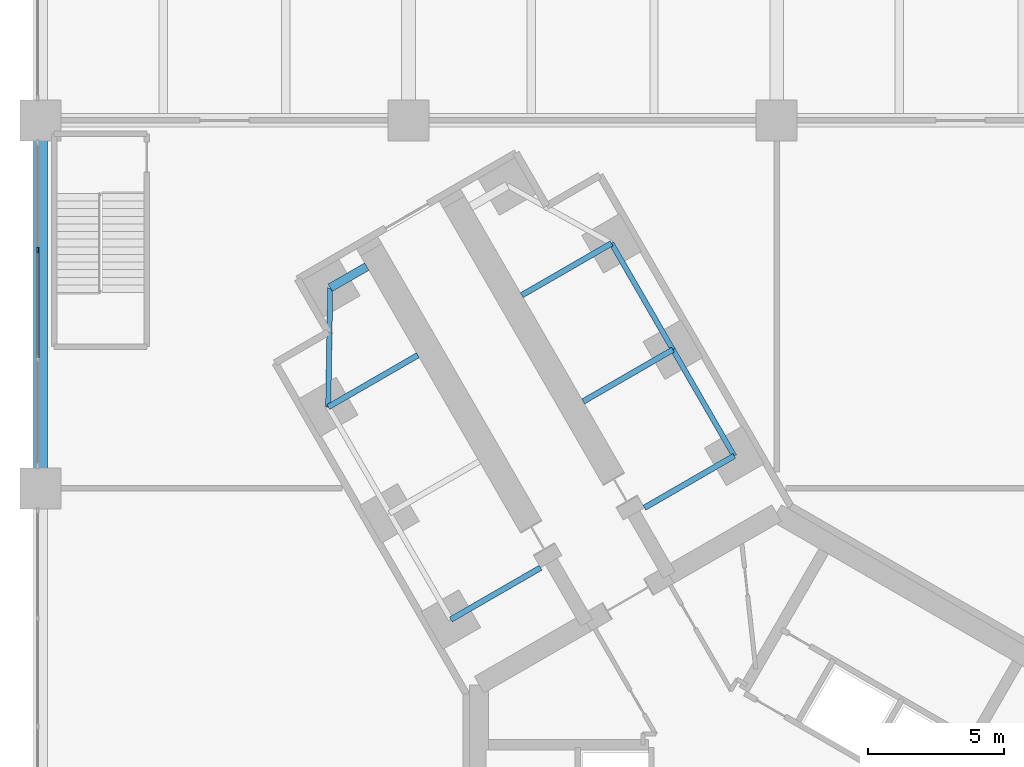
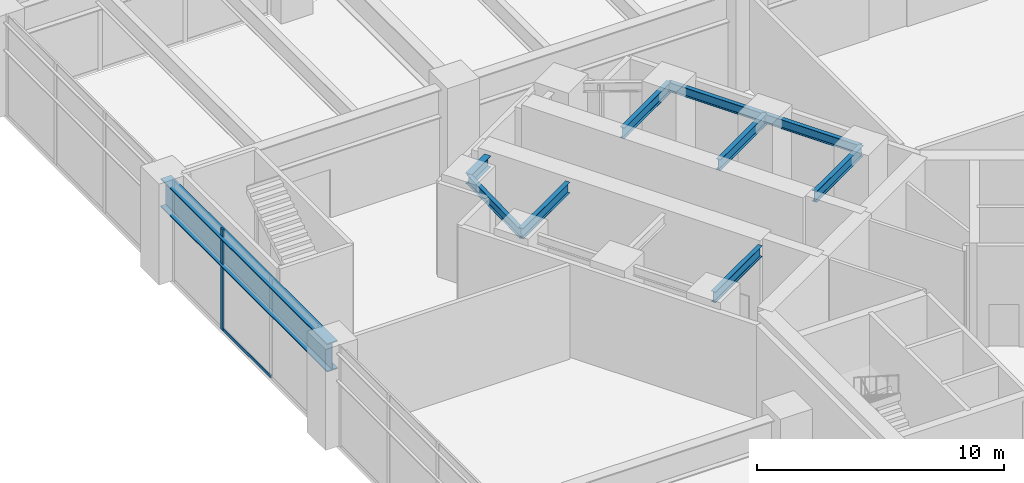
# One storey, part 7 of 31: 10 beams, 2 members, 1 element without a shape of its own.
"""IFC4 building model written with IfcOpenShell, lengths in metres."""

from ifc_helpers import new_model, si_unit, direction, frame, origin, origin_2d, place, context, subcontext, project, spatial, rectangle, i_section, extrude, material, material_profile, profile_set, type_object, element, aggregate, save


model = new_model("IFC4")

# Units and contexts
model_context = context("Model", 3, precision=1e-05, world=origin(), true_north=direction((0.0, 1.0)))
body_context = subcontext(model_context, "Body", "Model", "MODEL_VIEW")
ifc_project = project(units=[si_unit("LENGTHUNIT", "METRE"), si_unit("AREAUNIT", "SQUARE_METRE"), si_unit("VOLUMEUNIT", "CUBIC_METRE"), si_unit("PLANEANGLEUNIT", "RADIAN"), si_unit("MASSUNIT", "GRAM", prefix="KILO")], contexts=[model_context])

# Site, building, storey
site_placement = place(None, origin())
site = spatial("IfcSite", under=ifc_project, at=site_placement, CompositionType="ELEMENT")
building_placement = place(site_placement, origin())
building = spatial("IfcBuilding", under=site, at=building_placement, Name="Upepo Twin Towers", CompositionType="ELEMENT")
storey_placement = place(building_placement, frame((0.0, 0.0, 15.5)))
storey = spatial("IfcBuildingStorey", under=building, at=storey_placement, Name="L03", CompositionType="ELEMENT", Elevation=15.5)

# Beams
ifc_material_1 = material(Name="Steel S355", Category="steel")
ifc_material_profile_1 = material_profile(ifc_material_1, i_section(OverallWidth=0.5, OverallDepth=1.39990234375, WebThickness=0.02490234375, FlangeThickness=0.050048828125, FilletRadius=0.008056640625, at=origin_2d()), Name="PG 1400x500x25x50")
ifc_profile_set_1 = profile_set([ifc_material_profile_1], Name="Steel S355")
beam_type_1 = type_object("IfcBeamType", Name="Beam PG 1400x500x25x50", PredefinedType="BEAM", material=ifc_profile_set_1)
beam_1_placement = place(storey_placement, frame((-27.0, 13.5, 3.949951171875), z_axis=(0.0, 1.0, 0.0), x_axis=(-1.0, 0.0, 0.0)))
element("IfcBeam", 1, at=beam_1_placement, inside=storey, type_object=beam_type_1, Name="Podium girder 1/E-F", PredefinedType="BEAM", context=body_context, shape_type="SweptSolid", body=[
    extrude(i_section(OverallWidth=0.5, OverallDepth=1.39990234375, WebThickness=0.02490234375, FlangeThickness=0.050048828125, FilletRadius=0.008056640625, at=origin_2d()), origin(), (0.0, 0.0, 1.0), 13.5),
])
ifc_material_2 = material(Name="Steel S355", Category="steel")
ifc_material_profile_2 = material_profile(ifc_material_2, i_section(OverallWidth=0.1904296875, OverallDepth=0.45703125, WebThickness=0.009033203125, FlangeThickness=0.014404296875, FilletRadius=0.01025390625, at=origin_2d()), Name="UB 457x191x74")
ifc_profile_set_2 = profile_set([ifc_material_profile_2], Name="Steel S355")
beam_type_2 = type_object("IfcBeamType", Name="Beam UB 457x191x74", PredefinedType="BEAM", material=ifc_profile_set_2)
beam_2_placement = place(storey_placement, frame((-16.446044921875, 16.485595703125, 4.571533203125), z_axis=(0.016803880528, 0.999858804832, 0.0), x_axis=(-0.999858804832, 0.016803880528, 0.0)))
element("IfcBeam", 2, at=beam_2_placement, inside=storey, type_object=beam_type_2, Name="T1 nose edge beam BL", PredefinedType="BEAM", context=body_context, shape_type="SweptSolid", body=[
    extrude(i_section(OverallWidth=0.1904296875, OverallDepth=0.45703125, WebThickness=0.009033203125, FlangeThickness=0.014404296875, FilletRadius=0.01025390625, at=origin_2d()), origin(), (0.0, 0.0, 1.0), 4.373291015625),
])
beam_3_placement = place(storey_placement, frame((-1.553955078125, 14.69140625, 4.571533203125), z_axis=(-0.500013631625, 0.866017533419, 0.0), x_axis=(-0.866017533419, -0.500013631625, 0.0)))
element("IfcBeam", 3, at=beam_3_placement, inside=storey, type_object=beam_type_2, Name="T1 edge beam BR 13.5-18.0", PredefinedType="BEAM", context=body_context, shape_type="SweptSolid", body=[
    extrude(i_section(OverallWidth=0.1904296875, OverallDepth=0.45703125, WebThickness=0.009033203125, FlangeThickness=0.014404296875, FilletRadius=0.01025390625, at=origin_2d()), origin(), (0.0, 0.0, 1.0), 4.499755859375),
])
beam_4_placement = place(storey_placement, frame((-3.803955078125, 18.58837890625, 4.571533203125), z_axis=(-0.499990139034, 0.866031096941, 0.0), x_axis=(-0.866031096941, -0.499990139034, 0.0)))
element("IfcBeam", 4, at=beam_4_placement, inside=storey, type_object=beam_type_2, Name="T1 edge beam BR 18.0-22.5", PredefinedType="BEAM", context=body_context, shape_type="SweptSolid", body=[
    extrude(i_section(OverallWidth=0.1904296875, OverallDepth=0.45703125, WebThickness=0.009033203125, FlangeThickness=0.014404296875, FilletRadius=0.01025390625, at=origin_2d()), origin(), (0.0, 0.0, 1.0), 4.5),
])
ifc_material_3 = material(Name="Steel S355", Category="steel")
ifc_material_profile_3 = material_profile(ifc_material_3, i_section(OverallWidth=0.209228515625, OverallDepth=0.533203125, WebThickness=0.010009765625, FlangeThickness=0.015625, FilletRadius=0.0126953125, at=origin_2d()), Name="UB 533x210x92")
ifc_profile_set_3 = profile_set([ifc_material_profile_3], Name="Steel S355")
beam_type_3 = type_object("IfcBeamType", Name="Beam UB 533x210x92", PredefinedType="BEAM", material=ifc_profile_set_3)
for number, where, z_axis, x_axis, name in (
    (5, (-11.946044921875, 8.69140625, 4.533447265625), (0.866028304915, 0.499994975061, 0.0), (-0.499994975061, 0.866028304915, 0.0), "T1 girder BL at 13.5"),
    (6, (-16.446044921875, 16.485595703125, 4.533447265625), (0.866028304915, 0.499994975061, 0.0), (-0.499994975061, 0.866028304915, 0.0), "T1 girder BL at 22.5"),
):
    element("IfcBeam", number, at=place(storey_placement, frame(where, z_axis=z_axis, x_axis=x_axis)), inside=storey, type_object=beam_type_3, Name=name, PredefinedType="BEAM", context=body_context, shape_type="SweptSolid", body=[
        extrude(i_section(OverallWidth=0.209228515625, OverallDepth=0.533203125, WebThickness=0.010009765625, FlangeThickness=0.015625, FilletRadius=0.0126953125, at=origin_2d()), origin(), (0.0, 0.0, 1.0), 3.7998046875),
    ])
beam_5_placement = place(storey_placement, frame((-1.553955078125, 14.69140625, 4.533447265625), z_axis=(-0.866000483506, -0.500043160704, 0.0), x_axis=(0.500043160704, -0.866000483506, 0.0)))
element("IfcBeam", 7, at=beam_5_placement, inside=storey, type_object=beam_type_3, Name="T1 girder BR at 13.5", PredefinedType="BEAM", context=body_context, shape_type="SweptSolid", body=[
    extrude(i_section(OverallWidth=0.209228515625, OverallDepth=0.533203125, WebThickness=0.010009765625, FlangeThickness=0.015625, FilletRadius=0.0126953125, at=origin_2d()), origin(), (0.0, 0.0, 1.0), 3.800048828125),
])
for number, where, z_axis, x_axis, name in (
    (8, (-3.803955078125, 18.58837890625, 4.533447265625), (-0.866028304915, -0.499994975061, 0.0), (0.499994975061, -0.866028304915, 0.0), "T1 girder BR at 18.0"),
    (9, (-6.053955078125, 22.485595703125, 4.533447265625), (-0.866028304915, -0.499994975061, 0.0), (0.499994975061, -0.866028304915, 0.0), "T1 girder BR at 22.5"),
):
    element("IfcBeam", number, at=place(storey_placement, frame(where, z_axis=z_axis, x_axis=x_axis)), inside=storey, type_object=beam_type_3, Name=name, PredefinedType="BEAM", context=body_context, shape_type="SweptSolid", body=[
        extrude(i_section(OverallWidth=0.209228515625, OverallDepth=0.533203125, WebThickness=0.010009765625, FlangeThickness=0.015625, FilletRadius=0.0126953125, at=origin_2d()), origin(), (0.0, 0.0, 1.0), 3.7998046875),
    ])
ifc_material_4 = material(Name="Steel S355", Category="steel")
ifc_material_profile_4 = material_profile(ifc_material_4, i_section(OverallWidth=0.31201171875, OverallDepth=0.54345703125, WebThickness=0.0126953125, FlangeThickness=0.020263671875, FilletRadius=0.0126953125, at=origin_2d()), Name="UB 533x312x150")
ifc_profile_set_4 = profile_set([ifc_material_profile_4], Name="Steel S355")
beam_type_4 = type_object("IfcBeamType", Name="Beam UB 533x312x150", PredefinedType="BEAM", material=ifc_profile_set_4)
beam_6_placement = place(storey_placement, frame((-16.37255859375, 20.858154296875, 4.5283203125), z_axis=(0.866043940782, 0.499967891604, 0.0), x_axis=(-0.499967891604, 0.866043940782, 0.0)))
element("IfcBeam", 10, at=beam_6_placement, inside=storey, type_object=beam_type_4, Name="T1 nose beam BL", PredefinedType="BEAM", context=body_context, shape_type="SweptSolid", body=[
    extrude(i_section(OverallWidth=0.31201171875, OverallDepth=0.54345703125, WebThickness=0.0126953125, FlangeThickness=0.020263671875, FilletRadius=0.0126953125, at=origin_2d()), origin(), (0.0, 0.0, 1.0), 1.5498046875),
])

# Curtain wall, members
ifc_material_5 = material(Name="Aluminium and clear glass", Category="aluminium")
curtain_wall_type = type_object("IfcCurtainWallType", Name="Podium curtain wall PW1", PredefinedType="NOTDEFINED", material=ifc_material_5)
curtain_wall_placement = place(storey_placement, origin())
curtain_wall = element("IfcCurtainWall", 11, at=curtain_wall_placement, inside=storey, type_object=curtain_wall_type, Name="Podium L03 curtain wall W2", PredefinedType="NOTDEFINED")
ifc_material_6 = material(Name="Aluminium mullion", Category="aluminium")
ifc_material_profile_5 = material_profile(ifc_material_6, rectangle(XDim=0.06494140625, YDim=0.199951171875, at=origin_2d()), Name="MULLION 65x200 PODIUM")
ifc_profile_set_5 = profile_set([ifc_material_profile_5], Name="Aluminium mullion")
member_type_1 = type_object("IfcMemberType", Name="Mullion 65x200 PW1", PredefinedType="MULLION", material=ifc_profile_set_5)
member_1_placement = place(storey_placement, frame((-27.10009765625, 22.23828125, 0.0), z_axis=(0.0, 0.0, 1.0), x_axis=(1.0, 0.0, 0.0)))
member_1 = element("IfcMember", 12, at=member_1_placement, type_object=member_type_1, Name="Podium L03 curtain wall W2 mullion 2", PredefinedType="MULLION", context=body_context, shape_type="SweptSolid", body=[
    extrude(rectangle(XDim=0.06494140625, YDim=0.199951171875, at=origin_2d()), origin(), (0.0, 0.0, 1.0), 5.0),
])
ifc_material_7 = material(Name="Aluminium transom", Category="aluminium")
ifc_material_profile_6 = material_profile(ifc_material_7, rectangle(XDim=0.06494140625, YDim=0.14990234375, at=origin_2d()), Name="TRANSOM 65x150 PODIUM")
ifc_profile_set_6 = profile_set([ifc_material_profile_6], Name="Aluminium transom")
member_type_2 = type_object("IfcMemberType", Name="Transom 65x150 PW1", PredefinedType="USERDEFINED", material=ifc_profile_set_6)
member_2_placement = place(storey_placement, frame((-27.10009765625, 22.205810546875, 0.074951171875), z_axis=(0.0, -1.0, 0.0), x_axis=(1.0, 0.0, 0.0)))
member_2 = element("IfcMember", 13, at=member_2_placement, type_object=member_type_2, Name="Podium L03 curtain wall W2 transom 2", ObjectType="TRANSOM", PredefinedType="USERDEFINED", context=body_context, shape_type="SweptSolid", body=[
    extrude(rectangle(XDim=0.06494140625, YDim=0.14990234375, at=origin_2d()), origin(), (0.0, 0.0, 1.0), 3.91162109375),
])
aggregate(curtain_wall, [member_1, member_2])

save(model, "model.ifc")
